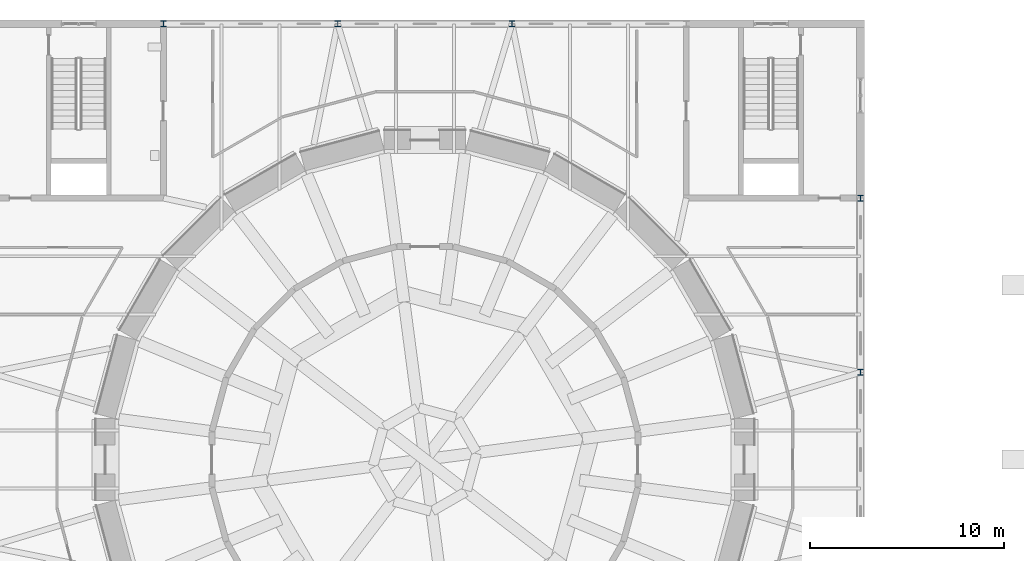
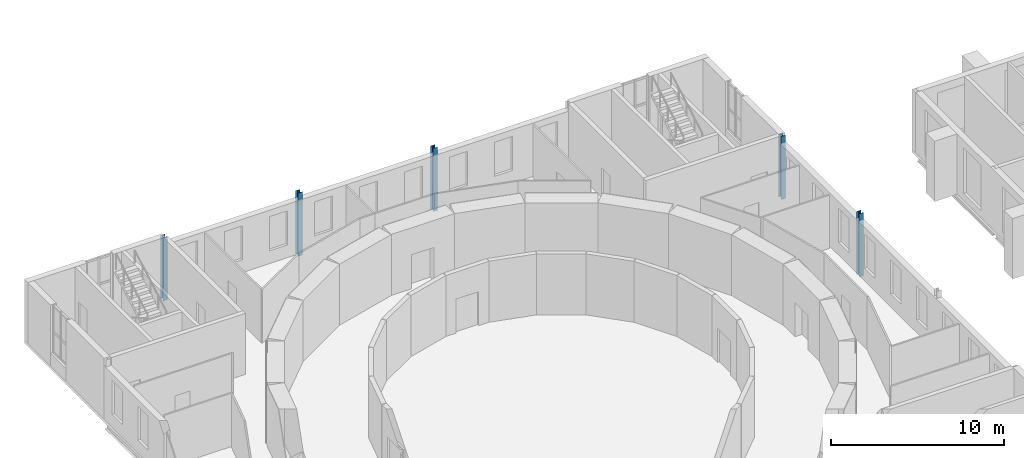
# One storey, part 13 of 131: 5 columns.
"""IFC4 building model written with IfcOpenShell, lengths in metres."""

import ifcopenshell
import ifcopenshell.guid

model = None  # the IFC model being written
_history = None  # IfcOwnerHistory: only IFC2X3 demands one
_inside = {}  # id of a spatial element -> (the spatial element, [elements in it])
_under = {}  # id of a project, library or spatial element -> (it, [spatial elements below it])
_declared = {}  # id of a project -> (the project, [libraries it declares])
_typed = {}  # id of a type object -> (the type object, [elements of that type])
_made_of = {}  # id of a material, layer set ... -> (it, [elements and type objects made of it])


def new_model(schema):
    """Start an empty IFC model of exactly this schema.

    Asked for "IFC4X3", IfcOpenShell would pick the latest addendum, in which some entities
    have other attributes; the version numbers below select the first issue.
    IFC2X3 requires an IfcOwnerHistory on every rooted entity: one is made here for all.
    """
    global model, _history
    if schema == "IFC4X3":
        model = ifcopenshell.file(schema_version=(4, 3, 0, 0))
    else:
        model = ifcopenshell.file(schema=schema)
    _inside.clear()
    _under.clear()
    _declared.clear()
    _typed.clear()
    _made_of.clear()
    _history = None
    if model.schema == "IFC2X3":
        org = make("IfcOrganization", Name="unknown")
        user = make(
            "IfcPersonAndOrganization",
            ThePerson=make("IfcPerson", FamilyName="unknown"),
            TheOrganization=org,
        )
        app = make(
            "IfcApplication",
            ApplicationDeveloper=org,
            Version="unknown",
            ApplicationFullName="unknown",
            ApplicationIdentifier="unknown",
        )
        _history = make(
            "IfcOwnerHistory",
            OwningUser=user,
            OwningApplication=app,
            ChangeAction="ADDED",
            CreationDate=0,
        )
    return model


def make(cls, **values):
    """One entity of the class cls with the attributes given. An attribute that is None is left unset."""
    return model.create_entity(
        cls, **{name: value for name, value in values.items() if value is not None}
    )


def rooted(cls, **values):
    """An entity with a GlobalId (a new one), such as an element, a storey or a relation."""
    return make(cls, GlobalId=ifcopenshell.guid.new(), OwnerHistory=_history, **values)


def si_unit(unit_type, name, prefix=None):
    """IfcSIUnit, for example si_unit("LENGTHUNIT", "METRE", prefix="MILLI")."""
    return make("IfcSIUnit", UnitType=unit_type, Prefix=prefix, Name=name)


def assignment(units):
    """IfcUnitAssignment: the units of a project."""
    return None if units is None else make("IfcUnitAssignment", Units=units)


def point(xyz):
    """IfcCartesianPoint."""
    return None if xyz is None else make("IfcCartesianPoint", Coordinates=xyz)


def direction(xyz):
    """IfcDirection."""
    return None if xyz is None else make("IfcDirection", DirectionRatios=xyz)


def frame(location, z_axis=None, x_axis=None):
    """IfcAxis2Placement3D, a coordinate frame: its origin and axes. An axis left out is left unset."""
    return make(
        "IfcAxis2Placement3D",
        Location=point(location),
        Axis=direction(z_axis),
        RefDirection=direction(x_axis),
    )


def frame_2d(location, x_axis=None):
    """IfcAxis2Placement2D, a coordinate frame in the plane: its origin and x axis."""
    return make(
        "IfcAxis2Placement2D", Location=point(location), RefDirection=direction(x_axis)
    )


def origin():
    """The frame at (0, 0, 0) with its axes left unset."""
    return frame((0.0, 0.0, 0.0))


def origin_2d():
    """The frame at (0, 0) in the plane with its x axis left unset."""
    return frame_2d((0.0, 0.0))


def place(relative_to, where):
    """IfcLocalPlacement: puts the frame where relative to a parent placement (None: the world)."""
    return make(
        "IfcLocalPlacement", PlacementRelTo=relative_to, RelativePlacement=where
    )


def context(
    kind, dimensions, precision=None, world=None, true_north=None, identifier=None
):
    """IfcGeometricRepresentationContext, for example the 3D "Model" context."""
    return make(
        "IfcGeometricRepresentationContext",
        ContextIdentifier=identifier,
        ContextType=kind,
        CoordinateSpaceDimension=dimensions,
        Precision=precision,
        WorldCoordinateSystem=world,
        TrueNorth=true_north,
    )


def subcontext(parent, identifier, kind, view, scale=None):
    """IfcGeometricRepresentationSubContext, for example "Body" below "Model"."""
    return make(
        "IfcGeometricRepresentationSubContext",
        ContextIdentifier=identifier,
        ContextType=kind,
        ParentContext=parent,
        TargetScale=scale,
        TargetView=view,
    )


def project(units=None, contexts=None):
    """IfcProject with its units and contexts."""
    return rooted(
        "IfcProject",
        Name="project",
        RepresentationContexts=contexts,
        UnitsInContext=assignment(units),
    )


def spatial(cls, under=None, at=None, **own):
    """A site, building, storey or space (cls), placed at a placement, below another one or the project."""
    s = rooted(cls, ObjectPlacement=at, **own)
    if under is not None:
        _under.setdefault(under.id(), (under, []))[1].append(s)
    return s


def profile(cls, at=None, kind="AREA", **sizes):
    """A parametric profile (cls). Its sizes go by their IFC names, for example OverallWidth=200.0."""
    return make(cls, ProfileType=kind, Position=at, **sizes)


def i_section(**sizes):
    """IfcIShapeProfileDef."""
    return profile("IfcIShapeProfileDef", **sizes)


def extrude(swept, where, along, depth):
    """IfcExtrudedAreaSolid: the profile swept, set in the frame where, extruded along a direction by depth."""
    return make(
        "IfcExtrudedAreaSolid",
        SweptArea=swept,
        Position=where,
        ExtrudedDirection=direction(along),
        Depth=depth,
    )


def shape(context_of_items, identifier, shape_type, items):
    """IfcShapeRepresentation: the items that make up one representation, for example the "Body"."""
    return make(
        "IfcShapeRepresentation",
        ContextOfItems=context_of_items,
        RepresentationIdentifier=identifier,
        RepresentationType=shape_type,
        Items=items,
    )


def material(Name=None, Category=None):
    """IfcMaterial."""
    return make("IfcMaterial", Name=Name, Category=Category)


def material_profile(
    of_material, cross_section, Name=None, Category=None, Priority=None
):
    """IfcMaterialProfile: a cross section and its material."""
    return make(
        "IfcMaterialProfile",
        Name=Name,
        Material=of_material,
        Profile=cross_section,
        Priority=Priority,
        Category=Category,
    )


def profile_set(profiles, Name=None, composite=None):
    """IfcMaterialProfileSet."""
    return make(
        "IfcMaterialProfileSet",
        Name=Name,
        MaterialProfiles=profiles,
        CompositeProfile=composite,
    )


def made_of(thing, what):
    """Note that an element or type object is made of a material, layer set ...; save() writes the relation."""
    if what is not None:
        _made_of.setdefault(what.id(), (what, []))[1].append(thing)
    return thing


def type_object(cls, material=None, **own):
    """A type object (cls), such as IfcWallType, which elements share."""
    return made_of(rooted(cls, **own), material)


def element(
    cls,
    number,
    at=None,
    inside=None,
    cuts=None,
    type_object=None,
    material=None,
    context=None,
    identifier="Body",
    shape_type=None,
    held_by="IfcProductDefinitionShape",
    body=None,
    shapes=None,
    **own,
):
    """One element of the class cls, such as IfcWall. Its Tag is "e" and its number.

    at: its placement. inside: the storey or other place that contains it. cuts: it is an
    opening in that element (IfcRelVoidsElement). A single representation is given by context,
    identifier, shape_type and body (its items); several are given by shapes. held_by: the class
    of the entity that holds the representations. save() writes the other relations.
    """
    e = rooted(cls, Tag="e%d" % number, ObjectPlacement=at, **own)
    if body is not None:
        shapes = [shape(context, identifier, shape_type, body)]
    if shapes is not None:
        e.Representation = make(held_by, Representations=shapes)
    if inside is not None:
        _inside.setdefault(inside.id(), (inside, []))[1].append(e)
    if cuts is not None:
        rooted(
            "IfcRelVoidsElement", RelatingBuildingElement=cuts, RelatedOpeningElement=e
        )
    if type_object is not None:
        _typed.setdefault(type_object.id(), (type_object, []))[1].append(e)
    return made_of(e, material)


def aggregate(whole, parts):
    """IfcRelAggregates: a whole, such as a stair, and the parts it consists of."""
    return rooted("IfcRelAggregates", RelatingObject=whole, RelatedObjects=parts)


def save(model, path):
    """Write the relations noted so far, then the file.

    IfcRelAggregates (storeys below a building ...), IfcRelContainedInSpatialStructure (elements
    in a storey), IfcRelDefinesByType, IfcRelAssociatesMaterial and IfcRelDeclares: one each for
    every whole, place, type object, material and project.
    """
    for whole, parts in _under.values():
        aggregate(whole, parts)
    for where, things in _inside.values():
        rooted(
            "IfcRelContainedInSpatialStructure",
            RelatedElements=things,
            RelatingStructure=where,
        )
    for kind, things in _typed.values():
        rooted("IfcRelDefinesByType", RelatedObjects=things, RelatingType=kind)
    for what, things in _made_of.values():
        rooted("IfcRelAssociatesMaterial", RelatedObjects=things, RelatingMaterial=what)
    for by, libraries in _declared.values():
        rooted("IfcRelDeclares", RelatingContext=by, RelatedDefinitions=libraries)
    model.write(path)


model = new_model("IFC4")

# Units and contexts
model_context = context("Model", 3, precision=1e-05, world=origin(), true_north=direction((0.0, 1.0)))
body_context = subcontext(model_context, "Body", "Model", "MODEL_VIEW")
ifc_project = project(units=[si_unit("LENGTHUNIT", "METRE"), si_unit("AREAUNIT", "SQUARE_METRE"), si_unit("VOLUMEUNIT", "CUBIC_METRE"), si_unit("PLANEANGLEUNIT", "RADIAN"), si_unit("MASSUNIT", "GRAM", prefix="KILO")], contexts=[model_context])

# Site, building, storey
site_placement = place(None, origin())
site = spatial("IfcSite", under=ifc_project, at=site_placement, CompositionType="ELEMENT")
building_placement = place(site_placement, origin())
building = spatial("IfcBuilding", under=site, at=building_placement, Name="Golden Quay Civic Hall", CompositionType="ELEMENT")
storey_placement = place(building_placement, frame((0.0, 0.0, 9.89990234375)))
storey = spatial("IfcBuildingStorey", under=building, at=storey_placement, Name="L02", CompositionType="ELEMENT", Elevation=9.89990234375)

# Columns
ifc_material = material(Name="Steel S355", Category="steel")
ifc_material_profile = material_profile(ifc_material, i_section(OverallWidth=0.300048828125, OverallDepth=0.300048828125, WebThickness=0.010986328125, FlangeThickness=0.01904296875, FilletRadius=0.027099609375, at=origin_2d()), Name="HEB 300")
ifc_profile_set = profile_set([ifc_material_profile], Name="Steel S355")
column_type = type_object("IfcColumnType", Name="Steel column HEB 300", PredefinedType="COLUMN", material=ifc_profile_set)
for number, where, z_axis, x_axis, name in (
    (1, (81.0, 108.0, -0.199951171875), (0.0, 0.0, 1.0), (1.0, 0.0, 0.0), "Base column 3"),
    (2, (90.0, 108.0, -0.199951171875), (0.0, 0.0, 1.0), (1.0, 0.0, 0.0), "Base column 4"),
    (3, (108.0, 90.0, -0.199951171875), (0.0, 0.0, 1.0), (1.0, 0.0, 0.0), "Base column 8"),
    (4, (72.0, 108.0, -0.199951171875), (0.0, 0.0, 1.0), (1.0, 0.0, 0.0), "Base column 11"),
    (5, (108.0, 99.0, -0.199951171875), (0.0, 0.0, 1.0), (1.0, 0.0, 0.0), "Base column 16"),
):
    element("IfcColumn", number, at=place(storey_placement, frame(where, z_axis=z_axis, x_axis=x_axis)), inside=storey, type_object=column_type, Name=name, PredefinedType="COLUMN", context=body_context, shape_type="SweptSolid", body=[
        extrude(i_section(OverallWidth=0.300048828125, OverallDepth=0.300048828125, WebThickness=0.010986328125, FlangeThickness=0.01904296875, FilletRadius=0.027099609375, at=origin_2d()), origin(), (0.0, 0.0, 1.0), 4.449951171875),
    ])

save(model, "model.ifc")
